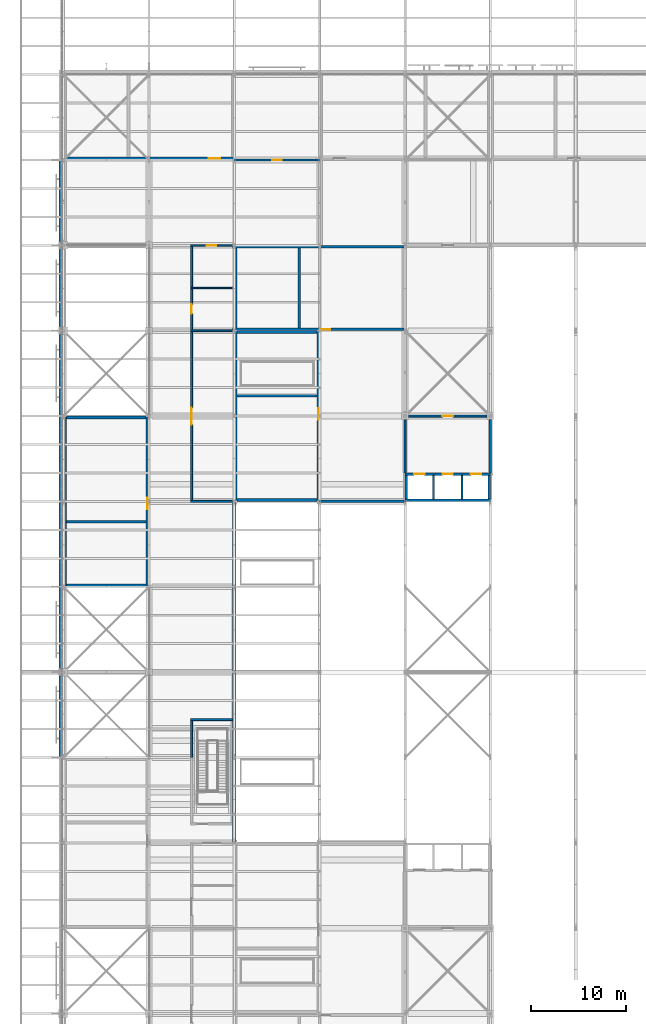
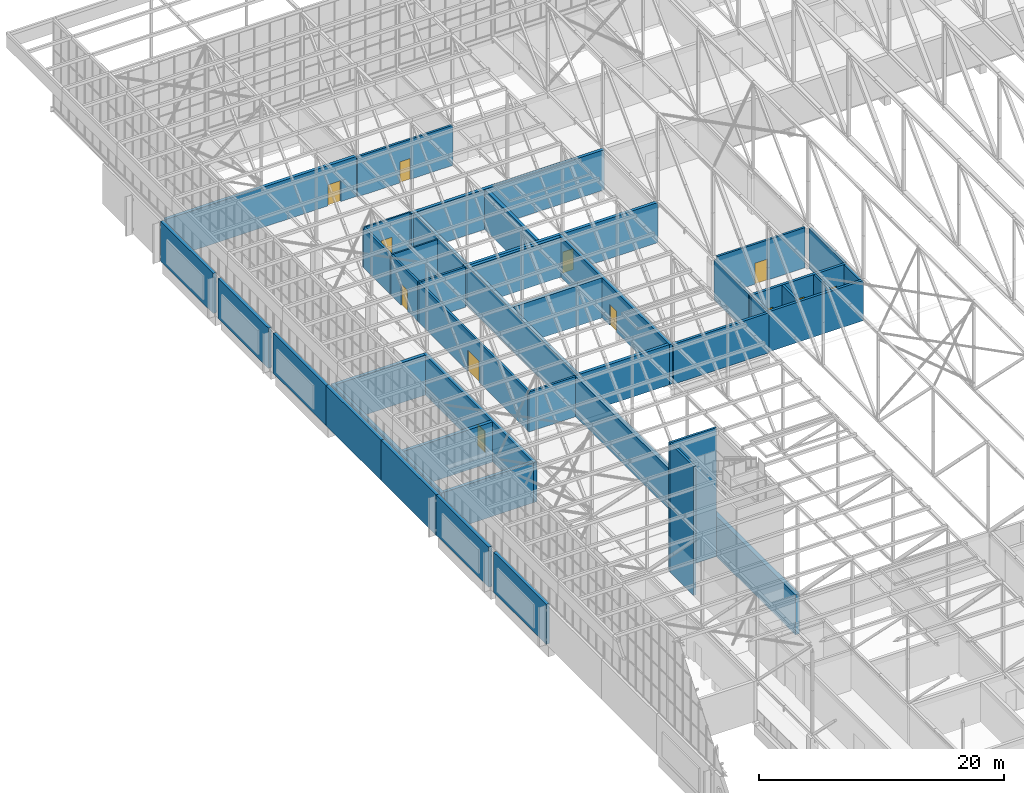
# One storey, part 169 of 646: 43 walls, 12 doors, 12 openings.
"""IFC4 building model written with IfcOpenShell, lengths in metres."""

from ifc_helpers import new_model, si_unit, direction, frame, frame_2d, origin, place, context, subcontext, project, spatial, rectangle, extrude, material, layer, layer_set, type_object, element, fill, save


model = new_model("IFC4")

# Units and contexts
model_context = context("Model", 3, precision=1e-05, world=origin(), true_north=direction((0.0, 1.0)))
body_context = subcontext(model_context, "Body", "Model", "MODEL_VIEW")
ifc_project = project(units=[si_unit("LENGTHUNIT", "METRE"), si_unit("AREAUNIT", "SQUARE_METRE"), si_unit("VOLUMEUNIT", "CUBIC_METRE"), si_unit("PLANEANGLEUNIT", "RADIAN"), si_unit("MASSUNIT", "GRAM", prefix="KILO")], contexts=[model_context])

# Site, building, storey
site_placement = place(None, origin())
site = spatial("IfcSite", under=ifc_project, at=site_placement, CompositionType="ELEMENT")
building_placement = place(site_placement, origin())
building = spatial("IfcBuilding", under=site, at=building_placement, Name="Silverbay Arena", CompositionType="ELEMENT")
storey_placement = place(building_placement, frame((0.0, 0.0, 33.5)))
storey = spatial("IfcBuildingStorey", under=building, at=storey_placement, Name="L05", CompositionType="ELEMENT", Elevation=33.5)

# Walls
ifc_material_1 = material(Name="Anodised aluminium cladding on insulated backing", Category="aluminium")
ifc_layer_1 = layer(ifc_material_1, 0.300048828125)
ifc_layer_set_1 = layer_set([ifc_layer_1], Name="Anodised aluminium cladding on insulated backing")
wall_type_1 = type_object("IfcWallType", Name="Aluminium clad wall 300", PredefinedType="SOLIDWALL", material=ifc_layer_set_1)
for number, where, z_axis, x_axis, name in (
    (1, (53.64990234375, 80.60009765625, 0.0), (0.0, 0.0, 1.0), (0.0, -1.0, 0.0), "West external wall L05 bay 7"),
    (2, (53.64990234375, 90.0, 0.0), (0.0, 0.0, 1.0), (0.0, -1.0, 0.0), "West external wall L05 bay 8"),
    (3, (53.64990234375, 116.60009765625, 0.0), (0.0, 0.0, 1.0), (0.0, -1.0, 0.0), "West external wall L05 bay 11"),
):
    element("IfcWall", number, at=place(storey_placement, frame(where, z_axis=z_axis, x_axis=x_axis)), inside=storey, type_object=wall_type_1, Name=name, PredefinedType="SOLIDWALL", context=body_context, shape_type="SweptSolid", body=[
        extrude(rectangle(XDim=8.60009765625, YDim=0.300048828125, at=frame_2d((4.300048828125, 0.0))), origin(), (0.0, 0.0, 1.0), 4.0),
    ])
wall_1_placement = place(storey_placement, frame((53.64990234375, 125.60009765625, 0.0), z_axis=(0.0, 0.0, 1.0), x_axis=(0.0, -1.0, 0.0)))
element("IfcWall", 4, at=wall_1_placement, inside=storey, type_object=wall_type_1, Name="West external wall L05 bay 12", PredefinedType="SOLIDWALL", context=body_context, shape_type="SweptSolid", body=[
    extrude(rectangle(XDim=8.2001953125, YDim=0.300048828125, at=frame_2d((4.10009765625, 0.0))), origin(), (0.0, 0.0, 1.0), 4.0),
])
wall_2_placement = place(storey_placement, frame((53.64990234375, 135.0, 0.0), z_axis=(0.0, 0.0, 1.0), x_axis=(0.0, -1.0, 0.0)))
element("IfcWall", 5, at=wall_2_placement, inside=storey, type_object=wall_type_1, Name="West external wall L05 bay 13", PredefinedType="SOLIDWALL", context=body_context, shape_type="SweptSolid", body=[
    extrude(rectangle(XDim=8.60009765625, YDim=0.300048828125, at=frame_2d((4.300048828125, 0.0))), origin(), (0.0, 0.0, 1.0), 4.0),
])
ifc_material_2 = material(Name="Concrete Grade C45", Category="concrete")
ifc_layer_2 = layer(ifc_material_2, 0.25)
ifc_layer_set_2 = layer_set([ifc_layer_2], Name="Concrete Grade C45")
wall_type_2 = type_object("IfcWallType", Name="Bowl enclosure wall RC 250 EI 120", PredefinedType="SOLIDWALL", material=ifc_layer_set_2)
wall_3_placement = place(storey_placement, frame((99.0, 102.0, 0.0), z_axis=(0.0, 0.0, 1.0), x_axis=(0.0, 1.0, 0.0)))
element("IfcWall", 6, at=wall_3_placement, inside=storey, type_object=wall_type_2, Name="Bowl enclosure wall, corner block NW-x", PredefinedType="SOLIDWALL", context=body_context, shape_type="SweptSolid", body=[
    extrude(rectangle(XDim=5.64990234375, YDim=0.25, at=frame_2d((2.824951171875, 0.0))), origin(), (0.0, 0.0, 1.0), 4.0),
])
wall_4_placement = place(storey_placement, frame((81.0, 99.0, 0.0), z_axis=(0.0, 0.0, 1.0), x_axis=(1.0, 0.0, 0.0)))
element("IfcWall", 7, at=wall_4_placement, inside=storey, type_object=wall_type_2, Name="Bowl enclosure wall, corner block NW-y", PredefinedType="SOLIDWALL", context=body_context, shape_type="SweptSolid", body=[
    extrude(rectangle(XDim=9.0, YDim=0.25, at=frame_2d((4.5, 0.0))), origin(), (0.0, 0.0, 1.0), 4.0),
])

# Wall, opening, door
ifc_material_3 = material(Name="Concrete Grade C45", Category="concrete")
ifc_layer_3 = layer(ifc_material_3, 0.300048828125)
ifc_layer_set_3 = layer_set([ifc_layer_3], Name="Concrete Grade C45")
wall_type_3 = type_object("IfcWallType", Name="Core wall RC 300 EI 120", PredefinedType="SHEAR", material=ifc_layer_set_3)
wall_5_placement = place(storey_placement, frame((72.0, 135.14990234375, 0.0), z_axis=(0.0, 0.0, 1.0), x_axis=(-1.0, 0.0, 0.0)))
wall_5 = element("IfcWall", 8, at=wall_5_placement, inside=storey, type_object=wall_type_3, Name="Core wall ST-N5 L05 door side", PredefinedType="SHEAR", context=body_context, shape_type="SweptSolid", body=[
    extrude(rectangle(XDim=18.0, YDim=0.300048828125, at=frame_2d((9.0, 0.0))), origin(), (0.0, 0.0, 1.0), 4.0),
])
opening_1_placement = place(wall_5_placement, frame((1.5, 0.0, 0.0)))
opening_1 = element("IfcOpeningElement", 9, at=opening_1_placement, cuts=wall_5, Name="Opening L05-037", PredefinedType="OPENING", context=body_context, shape_type="SweptSolid", body=[
    extrude(rectangle(XDim=1.199951171875, YDim=2.10009765625, at=frame_2d((0.60009765625, 1.050048828125))), frame((0.0, 0.16015625, 0.0), z_axis=(0.0, -1.0, 0.0), x_axis=(1.0, 0.0, 0.0)), (0.0, 0.0, 1.0), 0.320068359375),
])
ifc_material_4 = material(Name="Steel fire door", Category="steel")
door_type_1 = type_object("IfcDoorType", Name="Stair door 1200 x 2100 fire door", OperationType="SINGLE_SWING_LEFT", PredefinedType="DOOR", material=ifc_material_4)
door_1_placement = place(opening_1_placement, frame((1.199951171875, 0.0, 0.0), z_axis=(0.0, 0.0, 1.0), x_axis=(-1.0, 0.0, 0.0)))
door_1 = element("IfcDoor", 10, at=door_1_placement, inside=storey, type_object=door_type_1, Name="Stair door ST-N5 L05", OperationType="SINGLE_SWING_RIGHT", OverallHeight=2.10009765625, OverallWidth=1.199951171875, PredefinedType="DOOR", context=body_context, shape_type="SweptSolid", body=[
    extrude(rectangle(XDim=1.199951171875, YDim=2.10009765625, at=frame_2d((0.60009765625, 1.050048828125))), frame((0.0, 0.02490234375, 0.0), z_axis=(0.0, -1.0, 0.0), x_axis=(1.0, 0.0, 0.0)), (0.0, 0.0, 1.0), 0.050048828125),
])
fill(opening_1, door_1)

wall_6_placement = place(storey_placement, frame((62.85009765625, 108.0, 0.0), z_axis=(0.0, 0.0, 1.0), x_axis=(0.0, -1.0, 0.0)))
wall_6 = element("IfcWall", 11, at=wall_6_placement, inside=storey, type_object=wall_type_3, Name="Core wall ST-W2 L05 door side", PredefinedType="SHEAR", context=body_context, shape_type="SweptSolid", body=[
    extrude(rectangle(XDim=18.0, YDim=0.300048828125, at=frame_2d((9.0, 0.0))), origin(), (0.0, 0.0, 1.0), 4.0),
])
opening_2_placement = place(wall_6_placement, frame((8.60009765625, 0.0, 0.0)))
opening_2 = element("IfcOpeningElement", 12, at=opening_2_placement, cuts=wall_6, Name="Opening L05-040", PredefinedType="OPENING", context=body_context, shape_type="SweptSolid", body=[
    extrude(rectangle(XDim=1.199951171875, YDim=2.10009765625, at=frame_2d((0.60009765625, 1.050048828125))), frame((0.0, 0.16015625, 0.0), z_axis=(0.0, -1.0, 0.0), x_axis=(1.0, 0.0, 0.0)), (0.0, 0.0, 1.0), 0.320068359375),
])
door_2_placement = place(opening_2_placement, frame((1.199951171875, 0.0, 0.0), z_axis=(0.0, 0.0, 1.0), x_axis=(-1.0, 0.0, 0.0)))
door_2 = element("IfcDoor", 13, at=door_2_placement, inside=storey, type_object=door_type_1, Name="Stair door ST-W2 L05", OperationType="SINGLE_SWING_LEFT", OverallHeight=2.10009765625, OverallWidth=1.199951171875, PredefinedType="DOOR", context=body_context, shape_type="SweptSolid", body=[
    extrude(rectangle(XDim=1.199951171875, YDim=2.10009765625, at=frame_2d((0.60009765625, 1.050048828125))), frame((0.0, 0.02490234375, 0.0), z_axis=(0.0, -1.0, 0.0), x_axis=(1.0, 0.0, 0.0)), (0.0, 0.0, 1.0), 0.050048828125),
])
fill(opening_2, door_2)

# Walls
wall_7_placement = place(storey_placement, frame((54.14990234375, 108.0, 0.0), z_axis=(0.0, 0.0, 1.0), x_axis=(0.0, -1.0, 0.0)))
element("IfcWall", 14, at=wall_7_placement, inside=storey, type_object=wall_type_3, Name="Core wall ST-W2 L05 far side", PredefinedType="SHEAR", context=body_context, shape_type="SweptSolid", body=[
    extrude(rectangle(XDim=18.0, YDim=0.300048828125, at=frame_2d((9.0, 0.0))), origin(), (0.0, 0.0, 1.0), 4.0),
])
for number, where, z_axis, x_axis, name in (
    (15, (62.699951171875, 107.85009765625, 0.0), (0.0, 0.0, 1.0), (-1.0, 0.0, 0.0), "Core wall ST-W2 L05 end 1"),
    (16, (62.699951171875, 90.14990234375, 0.0), (0.0, 0.0, 1.0), (-1.0, 0.0, 0.0), "Core wall ST-W2 L05 end 2"),
    (17, (62.699951171875, 96.85009765625, 0.0), (0.0, 0.0, 1.0), (-1.0, 0.0, 0.0), "Core wall ST-W2 L05 stair enclosure"),
):
    element("IfcWall", number, at=place(storey_placement, frame(where, z_axis=z_axis, x_axis=x_axis)), inside=storey, type_object=wall_type_3, Name=name, PredefinedType="SHEAR", context=body_context, shape_type="SweptSolid", body=[
        extrude(rectangle(XDim=8.39990234375, YDim=0.300048828125, at=frame_2d((4.199951171875, 0.0))), origin(), (0.0, 0.0, 1.0), 4.0),
    ])

# Wall, opening, door
wall_8_placement = place(storey_placement, frame((90.0, 117.14990234375, 0.0), z_axis=(0.0, 0.0, 1.0), x_axis=(-1.0, 0.0, 0.0)))
wall_8 = element("IfcWall", 18, at=wall_8_placement, inside=storey, type_object=wall_type_3, Name="Core wall ST-NW1 L05 door side", PredefinedType="SHEAR", context=body_context, shape_type="SweptSolid", body=[
    extrude(rectangle(XDim=18.199951171875, YDim=0.300048828125, at=frame_2d((9.10009765625, 0.0))), origin(), (0.0, 0.0, 1.0), 4.0),
])
opening_3_placement = place(wall_8_placement, frame((7.89990234375, 0.0, 0.0)))
opening_3 = element("IfcOpeningElement", 19, at=opening_3_placement, cuts=wall_8, Name="Opening L05-047", PredefinedType="OPENING", context=body_context, shape_type="SweptSolid", body=[
    extrude(rectangle(XDim=1.0, YDim=2.10009765625, at=frame_2d((0.5, 1.050048828125))), frame((0.0, 0.16015625, 0.0), z_axis=(0.0, -1.0, 0.0), x_axis=(1.0, 0.0, 0.0)), (0.0, 0.0, 1.0), 0.320068359375),
])
ifc_material_5 = material(Name="Steel fire door", Category="steel")
door_type_2 = type_object("IfcDoorType", Name="Stair door 1000 x 2100 fire door", OperationType="SINGLE_SWING_LEFT", PredefinedType="DOOR", material=ifc_material_5)
door_3_placement = place(opening_3_placement, frame((1.0, 0.0, 0.0), z_axis=(0.0, 0.0, 1.0), x_axis=(-1.0, 0.0, 0.0)))
door_3 = element("IfcDoor", 20, at=door_3_placement, inside=storey, type_object=door_type_2, Name="Stair door ST-NW1 L05", OperationType="SINGLE_SWING_RIGHT", OverallHeight=2.10009765625, OverallWidth=1.0, PredefinedType="DOOR", context=body_context, shape_type="SweptSolid", body=[
    extrude(rectangle(XDim=1.0, YDim=2.10009765625, at=frame_2d((0.5, 1.050048828125))), frame((0.0, 0.02490234375, 0.0), z_axis=(0.0, -1.0, 0.0), x_axis=(1.0, 0.0, 0.0)), (0.0, 0.0, 1.0), 0.050048828125),
])
fill(opening_3, door_3)

# Walls
wall_9_placement = place(storey_placement, frame((90.0, 125.85009765625, 0.0), z_axis=(0.0, 0.0, 1.0), x_axis=(-1.0, 0.0, 0.0)))
element("IfcWall", 21, at=wall_9_placement, inside=storey, type_object=wall_type_3, Name="Core wall ST-NW1 L05 far side", PredefinedType="SHEAR", context=body_context, shape_type="SweptSolid", body=[
    extrude(rectangle(XDim=18.199951171875, YDim=0.300048828125, at=frame_2d((9.10009765625, 0.0))), origin(), (0.0, 0.0, 1.0), 4.0),
])
for number, where, z_axis, x_axis, name in (
    (22, (72.14990234375, 117.300048828125, 0.0), (0.0, 0.0, 1.0), (0.0, 1.0, 0.0), "Core wall ST-NW1 L05 end 2"),
    (23, (78.85009765625, 117.300048828125, 0.0), (0.0, 0.0, 1.0), (0.0, 1.0, 0.0), "Core wall ST-NW1 L05 stair enclosure"),
):
    element("IfcWall", number, at=place(storey_placement, frame(where, z_axis=z_axis, x_axis=x_axis)), inside=storey, type_object=wall_type_3, Name=name, PredefinedType="SHEAR", context=body_context, shape_type="SweptSolid", body=[
        extrude(rectangle(XDim=8.39990234375, YDim=0.300048828125, at=frame_2d((4.199951171875, 0.0))), origin(), (0.0, 0.0, 1.0), 4.0),
    ])

# Wall, opening, door
wall_10_placement = place(storey_placement, frame((80.85009765625, 99.0, 0.0), z_axis=(0.0, 0.0, 1.0), x_axis=(0.0, 1.0, 0.0)))
wall_10 = element("IfcWall", 24, at=wall_10_placement, inside=storey, type_object=wall_type_3, Name="Core wall ST-NW2 L05 door side", PredefinedType="SHEAR", context=body_context, shape_type="SweptSolid", body=[
    extrude(rectangle(XDim=18.0, YDim=0.300048828125, at=frame_2d((9.0, 0.0))), origin(), (0.0, 0.0, 1.0), 4.0),
])
opening_4_placement = place(wall_10_placement, frame((8.60009765625, 0.0, 0.0)))
opening_4 = element("IfcOpeningElement", 25, at=opening_4_placement, cuts=wall_10, Name="Opening L05-048", PredefinedType="OPENING", context=body_context, shape_type="SweptSolid", body=[
    extrude(rectangle(XDim=1.199951171875, YDim=2.10009765625, at=frame_2d((0.60009765625, 1.050048828125))), frame((0.0, 0.16015625, 0.0), z_axis=(0.0, -1.0, 0.0), x_axis=(1.0, 0.0, 0.0)), (0.0, 0.0, 1.0), 0.320068359375),
])
door_4_placement = place(opening_4_placement, origin())
door_4 = element("IfcDoor", 26, at=door_4_placement, inside=storey, type_object=door_type_1, Name="Stair door ST-NW2 L05", OperationType="SINGLE_SWING_RIGHT", OverallHeight=2.10009765625, OverallWidth=1.199951171875, PredefinedType="DOOR", context=body_context, shape_type="SweptSolid", body=[
    extrude(rectangle(XDim=1.199951171875, YDim=2.10009765625, at=frame_2d((0.60009765625, 1.050048828125))), frame((0.0, 0.02490234375, 0.0), z_axis=(0.0, -1.0, 0.0), x_axis=(1.0, 0.0, 0.0)), (0.0, 0.0, 1.0), 0.050048828125),
])
fill(opening_4, door_4)

# Walls
wall_11_placement = place(storey_placement, frame((72.14990234375, 99.0, 0.0), z_axis=(0.0, 0.0, 1.0), x_axis=(0.0, 1.0, 0.0)))
element("IfcWall", 27, at=wall_11_placement, inside=storey, type_object=wall_type_3, Name="Core wall ST-NW2 L05 far side", PredefinedType="SHEAR", context=body_context, shape_type="SweptSolid", body=[
    extrude(rectangle(XDim=18.0, YDim=0.300048828125, at=frame_2d((9.0, 0.0))), origin(), (0.0, 0.0, 1.0), 4.0),
])
for number, where, z_axis, x_axis, name in (
    (28, (80.699951171875, 99.14990234375, 0.0), (0.0, 0.0, 1.0), (-1.0, 0.0, 0.0), "Core wall ST-NW2 L05 end 1"),
    (29, (80.699951171875, 116.85009765625, 0.0), (0.0, 0.0, 1.0), (-1.0, 0.0, 0.0), "Core wall ST-NW2 L05 end 2"),
    (30, (80.699951171875, 110.14990234375, 0.0), (0.0, 0.0, 1.0), (-1.0, 0.0, 0.0), "Core wall ST-NW2 L05 stair enclosure"),
):
    element("IfcWall", number, at=place(storey_placement, frame(where, z_axis=z_axis, x_axis=x_axis)), inside=storey, type_object=wall_type_3, Name=name, PredefinedType="SHEAR", context=body_context, shape_type="SweptSolid", body=[
        extrude(rectangle(XDim=8.39990234375, YDim=0.300048828125, at=frame_2d((4.199951171875, 0.0))), origin(), (0.0, 0.0, 1.0), 4.0),
    ])
ifc_material_6 = material(Name="Concrete Grade C45", Category="concrete")
ifc_layer_4 = layer(ifc_material_6, 0.199951171875)
ifc_layer_set_4 = layer_set([ifc_layer_4], Name="Concrete Grade C45")
wall_type_4 = type_object("IfcWallType", Name="Lift shaft divider RC 200 EI 120", PredefinedType="SHEAR", material=ifc_layer_set_4)
for number, where, z_axis, x_axis, name in (
    (31, (93.0, 99.25, 0.0), (0.0, 0.0, 1.0), (0.0, 1.0, 0.0), "Lift shaft divider LB-NW L05 1"),
    (32, (96.0, 99.25, 0.0), (0.0, 0.0, 1.0), (0.0, 1.0, 0.0), "Lift shaft divider LB-NW L05 2"),
):
    element("IfcWall", number, at=place(storey_placement, frame(where, z_axis=z_axis, x_axis=x_axis)), inside=storey, type_object=wall_type_4, Name=name, PredefinedType="SHEAR", context=body_context, shape_type="SweptSolid", body=[
        extrude(rectangle(XDim=2.5, YDim=0.199951171875, at=frame_2d((1.25, 0.0))), origin(), (0.0, 0.0, 1.0), 4.0),
    ])

# Wall, openings, doors
ifc_material_7 = material(Name="Concrete Grade C45", Category="concrete")
ifc_layer_5 = layer(ifc_material_7, 0.25)
ifc_layer_set_5 = layer_set([ifc_layer_5], Name="Concrete Grade C45")
wall_type_5 = type_object("IfcWallType", Name="Lift shaft wall RC 250 EI 120", PredefinedType="SHEAR", material=ifc_layer_set_5)
wall_12_placement = place(storey_placement, frame((90.0, 101.875, 0.0), z_axis=(0.0, 0.0, 1.0), x_axis=(1.0, 0.0, 0.0)))
wall_12 = element("IfcWall", 33, at=wall_12_placement, inside=storey, type_object=wall_type_5, Name="Lift shaft wall LB-NW L05 landing side", PredefinedType="SHEAR", context=body_context, shape_type="SweptSolid", body=[
    extrude(rectangle(XDim=9.0, YDim=0.25, at=frame_2d((4.5, 0.0))), origin(), (0.0, 0.0, 1.0), 4.0),
])
opening_5_placement = place(wall_12_placement, frame((0.949951171875, 0.0, 0.0)))
opening_5 = element("IfcOpeningElement", 34, at=opening_5_placement, cuts=wall_12, Name="Opening L05-057", PredefinedType="OPENING", context=body_context, shape_type="SweptSolid", body=[
    extrude(rectangle(XDim=1.10009765625, YDim=2.10009765625, at=frame_2d((0.550048828125, 1.050048828125))), frame((0.0, 0.135009765625, 0.0), z_axis=(0.0, -1.0, 0.0), x_axis=(1.0, 0.0, 0.0)), (0.0, 0.0, 1.0), 0.27001953125),
])
opening_6_placement = place(wall_12_placement, frame((3.949951171875, 0.0, 0.0)))
opening_6 = element("IfcOpeningElement", 35, at=opening_6_placement, cuts=wall_12, Name="Opening L05-058", PredefinedType="OPENING", context=body_context, shape_type="SweptSolid", body=[
    extrude(rectangle(XDim=1.10009765625, YDim=2.10009765625, at=frame_2d((0.550048828125, 1.050048828125))), frame((0.0, 0.135009765625, 0.0), z_axis=(0.0, -1.0, 0.0), x_axis=(1.0, 0.0, 0.0)), (0.0, 0.0, 1.0), 0.27001953125),
])
opening_7_placement = place(wall_12_placement, frame((6.949951171875, 0.0, 0.0)))
opening_7 = element("IfcOpeningElement", 36, at=opening_7_placement, cuts=wall_12, Name="Opening L05-059", PredefinedType="OPENING", context=body_context, shape_type="SweptSolid", body=[
    extrude(rectangle(XDim=1.10009765625, YDim=2.10009765625, at=frame_2d((0.550048828125, 1.050048828125))), frame((0.0, 0.135009765625, 0.0), z_axis=(0.0, -1.0, 0.0), x_axis=(1.0, 0.0, 0.0)), (0.0, 0.0, 1.0), 0.27001953125),
])
ifc_material_8 = material(Name="Stainless steel", Category="steel")
door_type_3 = type_object("IfcDoorType", Name="LD1 lift landing door 1100 x 2100", OperationType="DOUBLE_DOOR_SLIDING", PredefinedType="DOOR", material=ifc_material_8)
door_5_placement = place(opening_5_placement, origin())
door_5 = element("IfcDoor", 37, at=door_5_placement, inside=storey, type_object=door_type_3, Name="Lift landing door LF9 L05", OperationType="DOUBLE_DOOR_SLIDING", OverallHeight=2.10009765625, OverallWidth=1.10009765625, PredefinedType="DOOR", context=body_context, shape_type="SweptSolid", body=[
    extrude(rectangle(XDim=1.10009765625, YDim=2.10009765625, at=frame_2d((0.550048828125, 1.050048828125))), frame((0.0, 0.02490234375, 0.0), z_axis=(0.0, -1.0, 0.0), x_axis=(1.0, 0.0, 0.0)), (0.0, 0.0, 1.0), 0.050048828125),
])
fill(opening_5, door_5)
door_6_placement = place(opening_6_placement, origin())
door_6 = element("IfcDoor", 38, at=door_6_placement, inside=storey, type_object=door_type_3, Name="Lift landing door LF10 L05", OperationType="DOUBLE_DOOR_SLIDING", OverallHeight=2.10009765625, OverallWidth=1.10009765625, PredefinedType="DOOR", context=body_context, shape_type="SweptSolid", body=[
    extrude(rectangle(XDim=1.10009765625, YDim=2.10009765625, at=frame_2d((0.550048828125, 1.050048828125))), frame((0.0, 0.02490234375, 0.0), z_axis=(0.0, -1.0, 0.0), x_axis=(1.0, 0.0, 0.0)), (0.0, 0.0, 1.0), 0.050048828125),
])
fill(opening_6, door_6)
door_7_placement = place(opening_7_placement, origin())
door_7 = element("IfcDoor", 39, at=door_7_placement, inside=storey, type_object=door_type_3, Name="Lift landing door LF11 L05", OperationType="DOUBLE_DOOR_SLIDING", OverallHeight=2.10009765625, OverallWidth=1.10009765625, PredefinedType="DOOR", context=body_context, shape_type="SweptSolid", body=[
    extrude(rectangle(XDim=1.10009765625, YDim=2.10009765625, at=frame_2d((0.550048828125, 1.050048828125))), frame((0.0, 0.02490234375, 0.0), z_axis=(0.0, -1.0, 0.0), x_axis=(1.0, 0.0, 0.0)), (0.0, 0.0, 1.0), 0.050048828125),
])
fill(opening_7, door_7)

# Walls
wall_13_placement = place(storey_placement, frame((90.0, 99.125, 0.0), z_axis=(0.0, 0.0, 1.0), x_axis=(1.0, 0.0, 0.0)))
element("IfcWall", 40, at=wall_13_placement, inside=storey, type_object=wall_type_5, Name="Lift shaft wall LB-NW L05 back", PredefinedType="SHEAR", context=body_context, shape_type="SweptSolid", body=[
    extrude(rectangle(XDim=9.0, YDim=0.25, at=frame_2d((4.5, 0.0))), origin(), (0.0, 0.0, 1.0), 4.0),
])
for number, where, z_axis, x_axis, name in (
    (41, (90.125, 99.25, 0.0), (0.0, 0.0, 1.0), (0.0, 1.0, 0.0), "Lift shaft wall LB-NW L05 end"),
    (42, (98.875, 99.25, 0.0), (0.0, 0.0, 1.0), (0.0, 1.0, 0.0), "Lift shaft wall LB-NW L05 end"),
):
    element("IfcWall", number, at=place(storey_placement, frame(where, z_axis=z_axis, x_axis=x_axis)), inside=storey, type_object=wall_type_5, Name=name, PredefinedType="SHEAR", context=body_context, shape_type="SweptSolid", body=[
        extrude(rectangle(XDim=2.5, YDim=0.25, at=frame_2d((1.25, 0.0))), origin(), (0.0, 0.0, 1.0), 4.0),
    ])
ifc_material_9 = material(Name="Gypsum board partition on steel studs", Category="steel")
ifc_layer_6 = layer(ifc_material_9, 0.14990234375)
ifc_layer_set_6 = layer_set([ifc_layer_6], Name="Gypsum board partition on steel studs")
wall_type_6 = type_object("IfcWallType", Name="Partition 150 EI 60", PredefinedType="PARTITIONING", material=ifc_layer_set_6)
wall_14_placement = place(storey_placement, frame((67.39990234375, 121.5, 0.0), z_axis=(0.0, 0.0, 1.0), x_axis=(1.0, 0.0, 0.0)))
element("IfcWall", 43, at=wall_14_placement, inside=storey, type_object=wall_type_6, Name="Partition wall", PredefinedType="PARTITIONING", context=body_context, shape_type="SweptSolid", body=[
    extrude(rectangle(XDim=4.400146484375, YDim=0.14990234375, at=frame_2d((2.2001953125, 0.0))), origin(), (0.0, 0.0, 1.0), 4.0),
])

# Wall, opening, door
wall_15_placement = place(storey_placement, frame((67.39990234375, 126.0, 0.0), z_axis=(0.0, 0.0, 1.0), x_axis=(1.0, 0.0, 0.0)))
wall_15 = element("IfcWall", 44, at=wall_15_placement, inside=storey, type_object=wall_type_6, Name="Partition wall", PredefinedType="PARTITIONING", context=body_context, shape_type="SweptSolid", body=[
    extrude(rectangle(XDim=4.400146484375, YDim=0.14990234375, at=frame_2d((2.2001953125, 0.0))), origin(), (0.0, 0.0, 1.0), 4.0),
])
opening_8_placement = place(wall_15_placement, frame((1.699951171875, 0.0, 0.0)))
opening_8 = element("IfcOpeningElement", 45, at=opening_8_placement, cuts=wall_15, Name="Opening L05-012", PredefinedType="OPENING", context=body_context, shape_type="SweptSolid", body=[
    extrude(rectangle(XDim=1.0, YDim=2.10009765625, at=frame_2d((0.5, 1.050048828125))), frame((0.0, 0.0849609375, 0.0), z_axis=(0.0, -1.0, 0.0), x_axis=(1.0, 0.0, 0.0)), (0.0, 0.0, 1.0), 0.169921875),
])
ifc_material_10 = material(Name="Steel faced timber", Category="steel")
door_type_4 = type_object("IfcDoorType", Name="Single leaf door 1000 x 2100 FD30S", OperationType="SINGLE_SWING_LEFT", PredefinedType="DOOR", material=ifc_material_10)
door_8_placement = place(opening_8_placement, frame((1.0, 0.0, 0.0), z_axis=(0.0, 0.0, 1.0), x_axis=(-1.0, 0.0, 0.0)))
door_8 = element("IfcDoor", 46, at=door_8_placement, inside=storey, type_object=door_type_4, Name="Door L05-012", OperationType="SINGLE_SWING_LEFT", OverallHeight=2.10009765625, OverallWidth=1.0, PredefinedType="DOOR", context=body_context, shape_type="SweptSolid", body=[
    extrude(rectangle(XDim=1.0, YDim=2.10009765625, at=frame_2d((0.5, 1.050048828125))), frame((0.0, 0.02490234375, 0.0), z_axis=(0.0, -1.0, 0.0), x_axis=(1.0, 0.0, 0.0)), (0.0, 0.0, 1.0), 0.050048828125),
])
fill(opening_8, door_8)

# Walls
ifc_material_11 = material(Name="Masonry blockwork partition", Category="masonry")
ifc_layer_7 = layer(ifc_material_11, 0.199951171875)
ifc_layer_set_7 = layer_set([ifc_layer_7], Name="Masonry blockwork partition")
wall_type_7 = type_object("IfcWallType", Name="Partition 200 EI 120", PredefinedType="PARTITIONING", material=ifc_layer_set_7)
wall_16_placement = place(storey_placement, frame((67.39990234375, 76.0, 0.0), z_axis=(0.0, 0.0, 1.0), x_axis=(1.0, 0.0, 0.0)))
element("IfcWall", 47, at=wall_16_placement, inside=storey, type_object=wall_type_7, Name="Partition wall", PredefinedType="PARTITIONING", context=body_context, shape_type="SweptSolid", body=[
    extrude(rectangle(XDim=4.400146484375, YDim=0.199951171875, at=frame_2d((2.2001953125, 0.0))), origin(), (0.0, 0.0, 1.0), 12.85009765625),
])
wall_17_placement = place(storey_placement, frame((67.39990234375, 99.0, 0.0), z_axis=(0.0, 0.0, 1.0), x_axis=(1.0, 0.0, 0.0)))
element("IfcWall", 48, at=wall_17_placement, inside=storey, type_object=wall_type_7, Name="Partition wall", PredefinedType="PARTITIONING", context=body_context, shape_type="SweptSolid", body=[
    extrude(rectangle(XDim=4.400146484375, YDim=0.199951171875, at=frame_2d((2.2001953125, 0.0))), origin(), (0.0, 0.0, 1.0), 4.0),
])

# Wall, opening, door
wall_18_placement = place(storey_placement, frame((90.35009765625, 108.0, 0.0), z_axis=(0.0, 0.0, 1.0), x_axis=(1.0, 0.0, 0.0)))
wall_18 = element("IfcWall", 49, at=wall_18_placement, inside=storey, type_object=wall_type_7, Name="Partition wall", PredefinedType="PARTITIONING", context=body_context, shape_type="SweptSolid", body=[
    extrude(rectangle(XDim=8.2998046875, YDim=0.199951171875, at=frame_2d((4.14990234375, 0.0))), origin(), (0.0, 0.0, 1.0), 4.0),
])
opening_9_placement = place(wall_18_placement, frame((3.550048828125, 0.0, 0.0)))
opening_9 = element("IfcOpeningElement", 50, at=opening_9_placement, cuts=wall_18, Name="Opening L05-023", PredefinedType="OPENING", context=body_context, shape_type="SweptSolid", body=[
    extrude(rectangle(XDim=1.199951171875, YDim=2.10009765625, at=frame_2d((0.60009765625, 1.050048828125))), frame((0.0, 0.10986328125, 0.0), z_axis=(0.0, -1.0, 0.0), x_axis=(1.0, 0.0, 0.0)), (0.0, 0.0, 1.0), 0.219970703125),
])
ifc_material_12 = material(Name="Steel faced timber", Category="steel")
door_type_5 = type_object("IfcDoorType", Name="Single leaf door 1200 x 2100 FD60", OperationType="SINGLE_SWING_LEFT", PredefinedType="DOOR", material=ifc_material_12)
door_9_placement = place(opening_9_placement, origin())
door_9 = element("IfcDoor", 51, at=door_9_placement, inside=storey, type_object=door_type_5, Name="Door L05-023", OperationType="SINGLE_SWING_LEFT", OverallHeight=2.10009765625, OverallWidth=1.199951171875, PredefinedType="DOOR", context=body_context, shape_type="SweptSolid", body=[
    extrude(rectangle(XDim=1.199951171875, YDim=2.10009765625, at=frame_2d((0.60009765625, 1.050048828125))), frame((0.0, 0.02490234375, 0.0), z_axis=(0.0, -1.0, 0.0), x_axis=(1.0, 0.0, 0.0)), (0.0, 0.0, 1.0), 0.050048828125),
])
fill(opening_9, door_9)

# Wall
wall_19_placement = place(storey_placement, frame((67.39990234375, 117.0, 0.0), z_axis=(0.0, 0.0, 1.0), x_axis=(1.0, 0.0, 0.0)))
element("IfcWall", 52, at=wall_19_placement, inside=storey, type_object=wall_type_7, Name="Partition wall", PredefinedType="PARTITIONING", context=body_context, shape_type="SweptSolid", body=[
    extrude(rectangle(XDim=4.400146484375, YDim=0.199951171875, at=frame_2d((2.2001953125, 0.0))), origin(), (0.0, 0.0, 1.0), 4.0),
])

# Wall, opening, door
wall_20_placement = place(storey_placement, frame((72.0, 135.0, 0.0), z_axis=(0.0, 0.0, 1.0), x_axis=(1.0, 0.0, 0.0)))
wall_20 = element("IfcWall", 53, at=wall_20_placement, inside=storey, type_object=wall_type_7, Name="Partition wall", PredefinedType="PARTITIONING", context=body_context, shape_type="SweptSolid", body=[
    extrude(rectangle(XDim=9.0, YDim=0.199951171875, at=frame_2d((4.5, 0.0))), origin(), (0.0, 0.0, 1.0), 4.0),
])
opening_10_placement = place(wall_20_placement, frame((4.0, 0.0, 0.0)))
opening_10 = element("IfcOpeningElement", 54, at=opening_10_placement, cuts=wall_20, Name="Opening L05-004", PredefinedType="OPENING", context=body_context, shape_type="SweptSolid", body=[
    extrude(rectangle(XDim=1.0, YDim=2.10009765625, at=frame_2d((0.5, 1.050048828125))), frame((0.0, 0.10986328125, 0.0), z_axis=(0.0, -1.0, 0.0), x_axis=(1.0, 0.0, 0.0)), (0.0, 0.0, 1.0), 0.219970703125),
])
ifc_material_13 = material(Name="Steel faced timber", Category="steel")
door_type_6 = type_object("IfcDoorType", Name="Single leaf door 1000 x 2100 FD120", OperationType="SINGLE_SWING_LEFT", PredefinedType="DOOR", material=ifc_material_13)
door_10_placement = place(opening_10_placement, origin())
door_10 = element("IfcDoor", 55, at=door_10_placement, inside=storey, type_object=door_type_6, Name="Door L05-004", OperationType="SINGLE_SWING_RIGHT", OverallHeight=2.10009765625, OverallWidth=1.0, PredefinedType="DOOR", context=body_context, shape_type="SweptSolid", body=[
    extrude(rectangle(XDim=1.0, YDim=2.10009765625, at=frame_2d((0.5, 1.050048828125))), frame((0.0, 0.02490234375, 0.0), z_axis=(0.0, -1.0, 0.0), x_axis=(1.0, 0.0, 0.0)), (0.0, 0.0, 1.0), 0.050048828125),
])
fill(opening_10, door_10)

# Wall
wall_21_placement = place(storey_placement, frame((67.5, 72.0, 0.0), z_axis=(0.0, 0.0, 1.0), x_axis=(0.0, 1.0, 0.0)))
element("IfcWall", 56, at=wall_21_placement, inside=storey, type_object=wall_type_7, Name="Partition wall", PredefinedType="PARTITIONING", context=body_context, shape_type="SweptSolid", body=[
    extrude(rectangle(XDim=3.89990234375, YDim=0.199951171875, at=frame_2d((1.949951171875, 0.0))), origin(), (0.0, 0.0, 1.0), 12.85009765625),
])

# Wall, opening, door
wall_22_placement = place(storey_placement, frame((67.5, 99.10009765625, 0.0), z_axis=(0.0, 0.0, 1.0), x_axis=(0.0, 1.0, 0.0)))
wall_22 = element("IfcWall", 57, at=wall_22_placement, inside=storey, type_object=wall_type_7, Name="Partition wall", PredefinedType="PARTITIONING", context=body_context, shape_type="SweptSolid", body=[
    extrude(rectangle(XDim=17.7998046875, YDim=0.199951171875, at=frame_2d((8.89990234375, 0.0))), origin(), (0.0, 0.0, 1.0), 4.0),
])
opening_11_placement = place(wall_22_placement, frame((8.0, 0.0, 0.0)))
opening_11 = element("IfcOpeningElement", 58, at=opening_11_placement, cuts=wall_22, Name="Opening L05-010", PredefinedType="OPENING", context=body_context, shape_type="SweptSolid", body=[
    extrude(rectangle(XDim=1.800048828125, YDim=2.10009765625, at=frame_2d((0.89990234375, 1.050048828125))), frame((0.0, 0.10986328125, 0.0), z_axis=(0.0, -1.0, 0.0), x_axis=(1.0, 0.0, 0.0)), (0.0, 0.0, 1.0), 0.219970703125),
])
ifc_material_14 = material(Name="Steel faced timber", Category="steel")
door_type_7 = type_object("IfcDoorType", Name="Double leaf door 1800 x 2100 FD120", OperationType="DOUBLE_DOOR_DOUBLE_SWING", PredefinedType="DOOR", material=ifc_material_14)
door_11_placement = place(opening_11_placement, frame((1.800048828125, 0.0, 0.0), z_axis=(0.0, 0.0, 1.0), x_axis=(-1.0, 0.0, 0.0)))
door_11 = element("IfcDoor", 59, at=door_11_placement, inside=storey, type_object=door_type_7, Name="Door L05-010", OperationType="DOUBLE_DOOR_DOUBLE_SWING", OverallHeight=2.10009765625, OverallWidth=1.800048828125, PredefinedType="DOOR", context=body_context, shape_type="SweptSolid", body=[
    extrude(rectangle(XDim=1.800048828125, YDim=2.10009765625, at=frame_2d((0.89990234375, 1.050048828125))), frame((0.0, 0.02490234375, 0.0), z_axis=(0.0, -1.0, 0.0), x_axis=(1.0, 0.0, 0.0)), (0.0, 0.0, 1.0), 0.050048828125),
])
fill(opening_11, door_11)

# Wall
wall_23_placement = place(storey_placement, frame((90.0, 102.0, 0.0), z_axis=(0.0, 0.0, 1.0), x_axis=(0.0, 1.0, 0.0)))
element("IfcWall", 60, at=wall_23_placement, inside=storey, type_object=wall_type_7, Name="Partition wall", PredefinedType="PARTITIONING", context=body_context, shape_type="SweptSolid", body=[
    extrude(rectangle(XDim=5.64990234375, YDim=0.199951171875, at=frame_2d((2.824951171875, 0.0))), origin(), (0.0, 0.0, 1.0), 4.0),
])

# Wall, opening, door
ifc_material_15 = material(Name="Gypsum board partition on steel studs", Category="steel")
ifc_layer_8 = layer(ifc_material_15, 0.199951171875)
ifc_layer_set_8 = layer_set([ifc_layer_8], Name="Gypsum board partition on steel studs")
wall_type_8 = type_object("IfcWallType", Name="Partition 200 EI 60", PredefinedType="PARTITIONING", material=ifc_layer_set_8)
wall_24_placement = place(storey_placement, frame((67.5, 117.10009765625, 0.0), z_axis=(0.0, 0.0, 1.0), x_axis=(0.0, 1.0, 0.0)))
wall_24 = element("IfcWall", 61, at=wall_24_placement, inside=storey, type_object=wall_type_8, Name="Partition wall", PredefinedType="PARTITIONING", context=body_context, shape_type="SweptSolid", body=[
    extrude(rectangle(XDim=4.324951171875, YDim=0.199951171875, at=frame_2d((2.16259765625, 0.0))), origin(), (0.0, 0.0, 1.0), 4.0),
])
opening_12_placement = place(wall_24_placement, frame((1.6630859375, 0.0, 0.0)))
opening_12 = element("IfcOpeningElement", 62, at=opening_12_placement, cuts=wall_24, Name="Opening L05-011", PredefinedType="OPENING", context=body_context, shape_type="SweptSolid", body=[
    extrude(rectangle(XDim=1.0, YDim=2.10009765625, at=frame_2d((0.5, 1.050048828125))), frame((0.0, 0.10986328125, 0.0), z_axis=(0.0, -1.0, 0.0), x_axis=(1.0, 0.0, 0.0)), (0.0, 0.0, 1.0), 0.219970703125),
])
door_12_placement = place(opening_12_placement, frame((1.0, 0.0, 0.0), z_axis=(0.0, 0.0, 1.0), x_axis=(-1.0, 0.0, 0.0)))
door_12 = element("IfcDoor", 63, at=door_12_placement, inside=storey, type_object=door_type_4, Name="Door L05-011", OperationType="SINGLE_SWING_RIGHT", OverallHeight=2.10009765625, OverallWidth=1.0, PredefinedType="DOOR", context=body_context, shape_type="SweptSolid", body=[
    extrude(rectangle(XDim=1.0, YDim=2.10009765625, at=frame_2d((0.5, 1.050048828125))), frame((0.0, 0.02490234375, 0.0), z_axis=(0.0, -1.0, 0.0), x_axis=(1.0, 0.0, 0.0)), (0.0, 0.0, 1.0), 0.050048828125),
])
fill(opening_12, door_12)

# Walls
wall_25_placement = place(storey_placement, frame((67.5, 121.574951171875, 0.0), z_axis=(0.0, 0.0, 1.0), x_axis=(0.0, 1.0, 0.0)))
element("IfcWall", 64, at=wall_25_placement, inside=storey, type_object=wall_type_8, Name="Partition wall", PredefinedType="PARTITIONING", context=body_context, shape_type="SweptSolid", body=[
    extrude(rectangle(XDim=4.35009765625, YDim=0.199951171875, at=frame_2d((2.175048828125, 0.0))), origin(), (0.0, 0.0, 1.0), 4.0),
])
ifc_material_16 = material(Name="Concrete Grade C45", Category="concrete")
ifc_layer_9 = layer(ifc_material_16, 0.39990234375)
ifc_layer_set_9 = layer_set([ifc_layer_9], Name="Concrete Grade C45")
wall_type_9 = type_object("IfcWallType", Name="RC back wall 400 EI 120", PredefinedType="SOLIDWALL", material=ifc_layer_set_9)
wall_26_placement = place(storey_placement, frame((72.0, 99.0, 0.0), z_axis=(0.0, 0.0, 1.0), x_axis=(0.0, -1.0, 0.0)))
element("IfcWall", 65, at=wall_26_placement, inside=storey, type_object=wall_type_9, Name="Bowl back wall L05 04", PredefinedType="SOLIDWALL", context=body_context, shape_type="SweptSolid", body=[
    extrude(rectangle(XDim=36.0, YDim=0.39990234375, at=frame_2d((18.0, 0.0))), origin(), (0.0, 0.0, 1.0), 4.0),
])
ifc_material_17 = material(Name="Concrete Grade C45", Category="concrete")
ifc_layer_10 = layer(ifc_material_17, 0.35009765625)
ifc_layer_set_10 = layer_set([ifc_layer_10], Name="Concrete Grade C45")
wall_type_10 = type_object("IfcWallType", Name="Stair core facade wall 350", PredefinedType="SOLIDWALL", material=ifc_layer_set_10)
for number, where, z_axis, x_axis, name in (
    (66, (53.675048828125, 99.0, 0.0), (0.0, 0.0, 1.0), (0.0, -1.0, 0.0), "West external wall L05 bay 9"),
    (67, (53.675048828125, 108.0, 0.0), (0.0, 0.0, 1.0), (0.0, -1.0, 0.0), "West external wall L05 bay 10"),
):
    element("IfcWall", number, at=place(storey_placement, frame(where, z_axis=z_axis, x_axis=x_axis)), inside=storey, type_object=wall_type_10, Name=name, PredefinedType="SOLIDWALL", context=body_context, shape_type="SweptSolid", body=[
        extrude(rectangle(XDim=9.0, YDim=0.35009765625, at=frame_2d((4.5, 0.0))), origin(), (0.0, 0.0, 1.0), 4.0),
    ])

save(model, "model.ifc")
